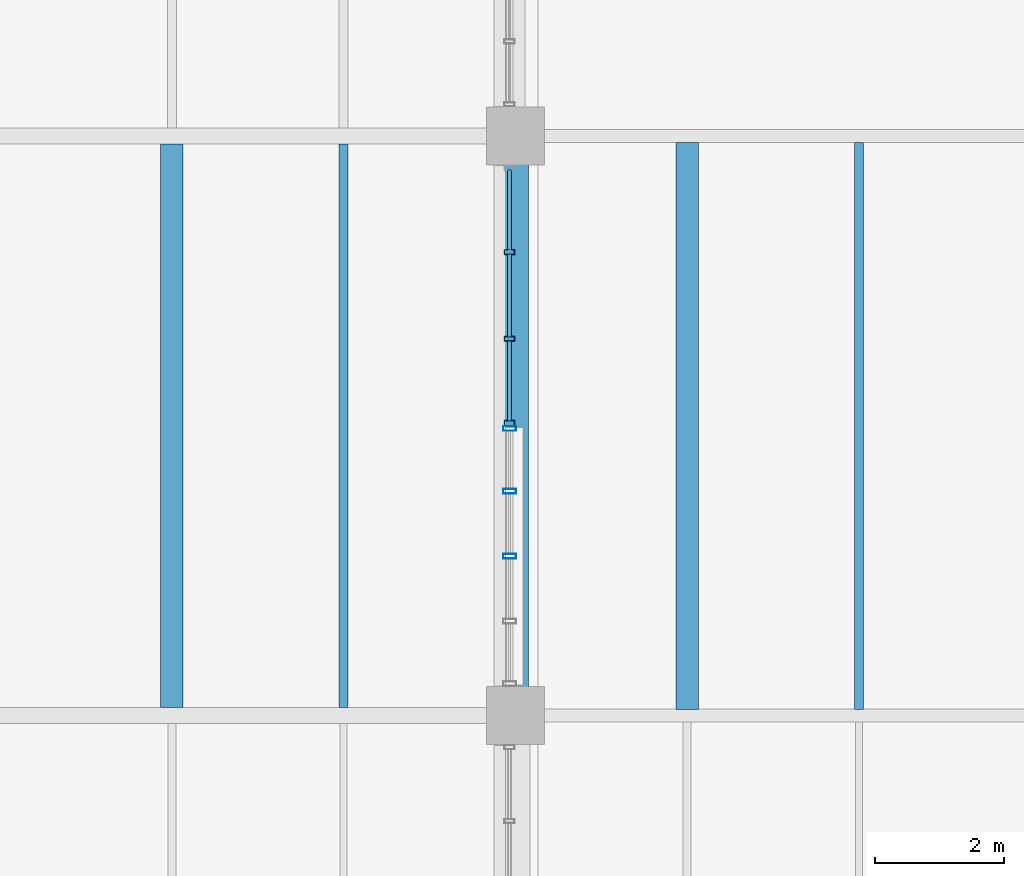
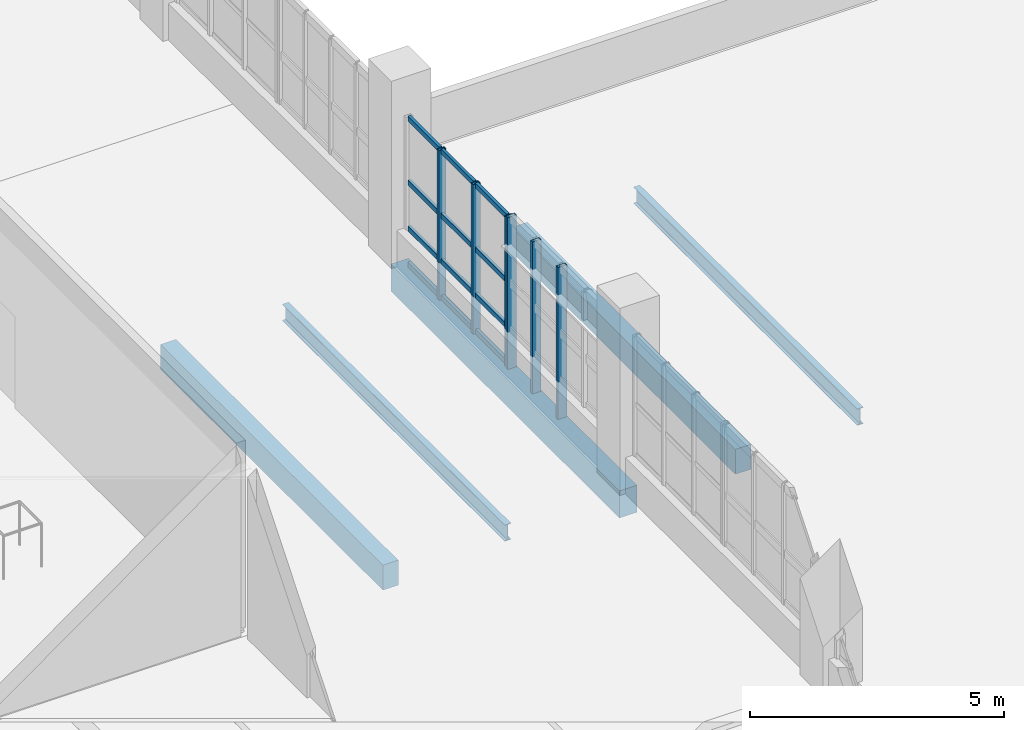
# One storey, part 14 of 85: 18 members, 5 beams, 2 elements without a shape of their own.
"""IFC4 building model written with IfcOpenShell, lengths in metres."""

from ifc_helpers import new_model, si_unit, derived_unit, direction, frame, origin, origin_2d, place, context, subcontext, project, spatial, rectangle, hollow_rectangle, i_section, extrude, material, layer, layer_set, material_profile, profile_set, type_object, element, aggregate, save


model = new_model("IFC4")

# Units and contexts
model_context = context("Model", 3, precision=1e-05, world=origin(), true_north=direction((0.0, 1.0)))
body_context = subcontext(model_context, "Body", "Model", "MODEL_VIEW")
ifc_project = project(units=[si_unit("LENGTHUNIT", "METRE"), si_unit("AREAUNIT", "SQUARE_METRE"), si_unit("VOLUMEUNIT", "CUBIC_METRE"), si_unit("PLANEANGLEUNIT", "RADIAN"), si_unit("MASSUNIT", "GRAM", prefix="KILO"), derived_unit("THERMALTRANSMITTANCEUNIT", [(si_unit("POWERUNIT", "WATT"), 1), (si_unit("LENGTHUNIT", "METRE"), -2), (si_unit("THERMODYNAMICTEMPERATUREUNIT", "KELVIN"), -1)])], contexts=[model_context])

# Site, building, storey
site_placement = place(None, origin())
site = spatial("IfcSite", under=ifc_project, at=site_placement, CompositionType="ELEMENT")
building_placement = place(site_placement, origin())
building = spatial("IfcBuilding", under=site, at=building_placement, Name="Nallur Shell Playhouse", CompositionType="ELEMENT")
storey_placement = place(building_placement, frame((0.0, 0.0, 19.800048828125)))
storey = spatial("IfcBuildingStorey", under=building, at=storey_placement, Name="L05", CompositionType="ELEMENT", Elevation=19.800048828125)

# Beams
ifc_material_1 = material(Name="Steel E250", Category="steel")
ifc_material_profile_1 = material_profile(ifc_material_1, i_section(OverallWidth=0.139892578125, OverallDepth=0.39990234375, WebThickness=0.0087890625, FlangeThickness=0.01611328125, FilletRadius=0.013916015625, at=origin_2d()), Name="ISMB 400")
ifc_profile_set_1 = profile_set([ifc_material_profile_1], Name="Steel E250")
beam_type_1 = type_object("IfcBeamType", Name="BM-JST-ISMB400", PredefinedType="JOIST", material=ifc_profile_set_1)
beam_1_placement = place(storey_placement, frame((37.333251953125, 32.123046875, -0.449951171875), z_axis=(0.0, 1.0, 0.0), x_axis=(-1.0, 0.0, 0.0)))
element("IfcBeam", 1, at=beam_1_placement, inside=storey, type_object=beam_type_1, Name="L05 secondary joist 4-D-1075", PredefinedType="JOIST", context=body_context, shape_type="SweptSolid", body=[
    extrude(i_section(OverallWidth=0.139892578125, OverallDepth=0.39990234375, WebThickness=0.0087890625, FlangeThickness=0.01611328125, FilletRadius=0.013916015625, at=origin_2d()), origin(), (0.0, 0.0, 1.0), 8.75390625),
])
beam_2_placement = place(storey_placement, frame((45.333251953125, 32.097900390625, -0.449951171875), z_axis=(0.0, 1.0, 0.0), x_axis=(-1.0, 0.0, 0.0)))
element("IfcBeam", 2, at=beam_2_placement, inside=storey, type_object=beam_type_1, Name="L05 secondary joist 5-D-1087", PredefinedType="JOIST", context=body_context, shape_type="SweptSolid", body=[
    extrude(i_section(OverallWidth=0.139892578125, OverallDepth=0.39990234375, WebThickness=0.0087890625, FlangeThickness=0.01611328125, FilletRadius=0.013916015625, at=origin_2d()), origin(), (0.0, 0.0, 1.0), 8.80419921875),
])
ifc_material_2 = material(Name="Concrete M30", Category="concrete")
ifc_material_profile_2 = material_profile(ifc_material_2, rectangle(XDim=0.35009765625, YDim=0.60009765625, at=origin_2d()), Name="RC 350x600")
ifc_profile_set_2 = profile_set([ifc_material_profile_2], Name="Concrete M30")
beam_type_2 = type_object("IfcBeamType", Name="BM-RC-350x600", PredefinedType="JOIST", material=ifc_profile_set_2)
beam_3_placement = place(storey_placement, frame((34.666748046875, 32.123046875, -0.550048828125), z_axis=(0.0, 1.0, 0.0), x_axis=(-1.0, 0.0, 0.0)))
element("IfcBeam", 3, at=beam_3_placement, inside=storey, type_object=beam_type_2, Name="L05 secondary joist 4-D-1074", PredefinedType="JOIST", context=body_context, shape_type="SweptSolid", body=[
    extrude(rectangle(XDim=0.35009765625, YDim=0.60009765625, at=origin_2d()), origin(), (0.0, 0.0, 1.0), 8.75390625),
])
beam_4_placement = place(storey_placement, frame((42.666748046875, 32.097900390625, -0.550048828125), z_axis=(0.0, 1.0, 0.0), x_axis=(-1.0, 0.0, 0.0)))
element("IfcBeam", 4, at=beam_4_placement, inside=storey, type_object=beam_type_2, Name="L05 secondary joist 5-D-1086", PredefinedType="JOIST", context=body_context, shape_type="SweptSolid", body=[
    extrude(rectangle(XDim=0.35009765625, YDim=0.60009765625, at=origin_2d()), origin(), (0.0, 0.0, 1.0), 8.80419921875),
])
ifc_material_3 = material(Name="Concrete M35", Category="concrete")
ifc_material_profile_3 = material_profile(ifc_material_3, rectangle(XDim=0.39990234375, YDim=0.64990234375, at=origin_2d()), Name="RC 400x650")
ifc_profile_set_3 = profile_set([ifc_material_profile_3], Name="Concrete M35")
beam_type_3 = type_object("IfcBeamType", Name="BM-RC-400x650", PredefinedType="BEAM", material=ifc_profile_set_3)
beam_5_placement = place(storey_placement, frame((40.0, 32.0, -0.574951171875), z_axis=(0.0, 1.0, 0.0), x_axis=(-1.0, 0.0, 0.0)))
element("IfcBeam", 5, at=beam_5_placement, inside=storey, type_object=beam_type_3, Name="L05 girder Y-5-1007", PredefinedType="BEAM", context=body_context, shape_type="SweptSolid", body=[
    extrude(rectangle(XDim=0.39990234375, YDim=0.64990234375, at=origin_2d()), origin(), (0.0, 0.0, 1.0), 9.0),
])

# Curtain wall, members
ifc_material_4 = material(Name="Anodised Aluminium Double-Glazed Facade System", Category="aluminium")
ifc_layer_1 = layer(ifc_material_4, 0.1640625)
ifc_layer_set_1 = layer_set([ifc_layer_1], Name="Anodised Aluminium Double-Glazed Facade System")
curtain_wall_type_1 = type_object("IfcCurtainWallType", Name="CW-UNIT-19", PredefinedType="NOTDEFINED", material=ifc_layer_set_1)
curtain_wall_1_placement = place(storey_placement, origin())
curtain_wall_1 = element("IfcCurtainWall", 6, at=curtain_wall_1_placement, inside=storey, type_object=curtain_wall_type_1, Name="Unitised curtain wall CW-179 (L05)", PredefinedType="NOTDEFINED")
ifc_material_5 = material(Name="Aluminium Alloy 6063-T6 Mullion", Category="aluminium")
ifc_material_profile_4 = material_profile(ifc_material_5, hollow_rectangle(XDim=0.080078125, YDim=0.159912109375, WallThickness=0.006103515625, at=origin_2d()), Name="RHS 160x80x6")
ifc_profile_set_4 = profile_set([ifc_material_profile_4], Name="Aluminium Alloy 6063-T6 Mullion")
member_type_1 = type_object("IfcMemberType", Name="MB-CW-MUL150", PredefinedType="MULLION", material=ifc_profile_set_4)
member_1_placement = place(storey_placement, frame((39.909912109375, 39.1962890625, -0.01513671875), z_axis=(0.0, 0.0, 1.0), x_axis=(0.0, -1.0, 0.0)))
member_1 = element("IfcMember", 7, at=member_1_placement, type_object=member_type_1, Name="CW-19 mullion 2", PredefinedType="MULLION", context=body_context, shape_type="SweptSolid", body=[
    extrude(hollow_rectangle(XDim=0.080078125, YDim=0.159912109375, WallThickness=0.006103515625, at=origin_2d()), origin(), (0.0, 0.0, 1.0), 3.593994140625),
])
member_2_placement = place(storey_placement, frame((39.909912109375, 37.8505859375, -0.01513671875), z_axis=(0.0, 0.0, 1.0), x_axis=(0.0, -1.0, 0.0)))
member_2 = element("IfcMember", 8, at=member_2_placement, type_object=member_type_1, Name="CW-19 mullion 3", PredefinedType="MULLION", context=body_context, shape_type="SweptSolid", body=[
    extrude(hollow_rectangle(XDim=0.080078125, YDim=0.159912109375, WallThickness=0.006103515625, at=origin_2d()), origin(), (0.0, 0.0, 1.0), 3.593994140625),
])
member_3_placement = place(storey_placement, frame((39.909912109375, 36.544921875, -0.01513671875), z_axis=(0.0, 0.0, 1.0), x_axis=(0.0, -1.0, 0.0)))
member_3 = element("IfcMember", 9, at=member_3_placement, type_object=member_type_1, Name="CW-19 mullion 4", PredefinedType="MULLION", context=body_context, shape_type="SweptSolid", body=[
    extrude(hollow_rectangle(XDim=0.080078125, YDim=0.159912109375, WallThickness=0.006103515625, at=origin_2d()), origin(), (0.0, 0.0, 1.0), 3.593994140625),
])

ifc_layer_2 = layer(ifc_material_4, 0.16796875)
ifc_layer_set_2 = layer_set([ifc_layer_2], Name="Anodised Aluminium Double-Glazed Facade System")
curtain_wall_type_2 = type_object("IfcCurtainWallType", Name="CW-UNIT-20", PredefinedType="NOTDEFINED", material=ifc_layer_set_2)
curtain_wall_2_placement = place(storey_placement, origin())
curtain_wall_2 = element("IfcCurtainWall", 10, at=curtain_wall_2_placement, inside=storey, type_object=curtain_wall_type_2, Name="Unitised curtain wall CW-180 (L05)", PredefinedType="NOTDEFINED")
ifc_material_profile_5 = material_profile(ifc_material_5, hollow_rectangle(XDim=0.074951171875, YDim=0.199951171875, WallThickness=0.0048828125, at=origin_2d()), Name="ALU 75x200x5")
ifc_profile_set_5 = profile_set([ifc_material_profile_5], Name="Aluminium Alloy 6063-T6 Mullion")
member_type_2 = type_object("IfcMemberType", Name="MB-CW-MUL180", PredefinedType="MULLION", material=ifc_profile_set_5)
member_4_placement = place(storey_placement, frame((39.909912109375, 36.45751953125, -0.01513671875), z_axis=(0.0, 0.0, 1.0), x_axis=(0.0, -1.0, 0.0)))
member_4 = element("IfcMember", 11, at=member_4_placement, type_object=member_type_2, Name="CW-20 mullion 1", PredefinedType="MULLION", context=body_context, shape_type="SweptSolid", body=[
    extrude(hollow_rectangle(XDim=0.074951171875, YDim=0.199951171875, WallThickness=0.0048828125, at=origin_2d()), origin(), (0.0, 0.0, 1.0), 3.654052734375),
])
member_5_placement = place(storey_placement, frame((39.909912109375, 35.48583984375, -0.01513671875), z_axis=(0.0, 0.0, 1.0), x_axis=(0.0, -1.0, 0.0)))
member_5 = element("IfcMember", 12, at=member_5_placement, type_object=member_type_2, Name="CW-20 mullion 2", PredefinedType="MULLION", context=body_context, shape_type="SweptSolid", body=[
    extrude(hollow_rectangle(XDim=0.074951171875, YDim=0.199951171875, WallThickness=0.0048828125, at=origin_2d()), origin(), (0.0, 0.0, 1.0), 3.654052734375),
])
member_6_placement = place(storey_placement, frame((39.909912109375, 34.4765625, -0.01513671875), z_axis=(0.0, 0.0, 1.0), x_axis=(0.0, -1.0, 0.0)))
member_6 = element("IfcMember", 13, at=member_6_placement, type_object=member_type_2, Name="CW-20 mullion 3", PredefinedType="MULLION", context=body_context, shape_type="SweptSolid", body=[
    extrude(hollow_rectangle(XDim=0.074951171875, YDim=0.199951171875, WallThickness=0.0048828125, at=origin_2d()), origin(), (0.0, 0.0, 1.0), 3.654052734375),
])
aggregate(curtain_wall_2, [member_4, member_5, member_6])

# Member
ifc_material_6 = material(Name="Aluminium Alloy 6063-T6 Transom", Category="aluminium")
ifc_material_profile_6 = material_profile(ifc_material_6, hollow_rectangle(XDim=0.06494140625, YDim=0.1201171875, WallThickness=0.00390625, at=origin_2d()), Name="ALU 65x120x4")
ifc_profile_set_6 = profile_set([ifc_material_profile_6], Name="Aluminium Alloy 6063-T6 Transom")
member_type_3 = type_object("IfcMemberType", Name="MB-CW-TRN120", PredefinedType="USERDEFINED", material=ifc_profile_set_6)
member_7_placement = place(storey_placement, frame((39.909912109375, 40.469970703125, 0.032470703125), z_axis=(0.0, -1.0, 0.0), x_axis=(1.0, 0.0, 0.0)))
member_7 = element("IfcMember", 14, at=member_7_placement, type_object=member_type_3, Name="CW-19 transom 1.1", ObjectType="TRANSOM", PredefinedType="USERDEFINED", context=body_context, shape_type="SweptSolid", body=[
    extrude(hollow_rectangle(XDim=0.06494140625, YDim=0.1201171875, WallThickness=0.00390625, at=origin_2d()), origin(), (0.0, 0.0, 1.0), 1.24169921875),
])

member_8_placement = place(storey_placement, frame((39.909912109375, 40.469970703125, 0.89990234375), z_axis=(0.0, -1.0, 0.0), x_axis=(1.0, 0.0, 0.0)))
member_8 = element("IfcMember", 15, at=member_8_placement, type_object=member_type_3, Name="CW-19 transom 1.2", ObjectType="TRANSOM", PredefinedType="USERDEFINED", context=body_context, shape_type="SweptSolid", body=[
    extrude(hollow_rectangle(XDim=0.06494140625, YDim=0.1201171875, WallThickness=0.00390625, at=origin_2d()), origin(), (0.0, 0.0, 1.0), 1.24169921875),
])

member_9_placement = place(storey_placement, frame((39.909912109375, 40.469970703125, 2.001953125), z_axis=(0.0, -1.0, 0.0), x_axis=(1.0, 0.0, 0.0)))
member_9 = element("IfcMember", 16, at=member_9_placement, type_object=member_type_3, Name="CW-19 transom 1.3", ObjectType="TRANSOM", PredefinedType="USERDEFINED", context=body_context, shape_type="SweptSolid", body=[
    extrude(hollow_rectangle(XDim=0.06494140625, YDim=0.1201171875, WallThickness=0.00390625, at=origin_2d()), origin(), (0.0, 0.0, 1.0), 1.24169921875),
])

member_10_placement = place(storey_placement, frame((39.909912109375, 40.469970703125, 3.54248046875), z_axis=(0.0, -1.0, 0.0), x_axis=(1.0, 0.0, 0.0)))
member_10 = element("IfcMember", 17, at=member_10_placement, type_object=member_type_3, Name="CW-19 transom 1.4", ObjectType="TRANSOM", PredefinedType="USERDEFINED", context=body_context, shape_type="SweptSolid", body=[
    extrude(hollow_rectangle(XDim=0.06494140625, YDim=0.1201171875, WallThickness=0.00390625, at=origin_2d()), origin(), (0.0, 0.0, 1.0), 1.24169921875),
])

member_11_placement = place(storey_placement, frame((39.909912109375, 39.164306640625, 0.032470703125), z_axis=(0.0, -1.0, 0.0), x_axis=(1.0, 0.0, 0.0)))
member_11 = element("IfcMember", 18, at=member_11_placement, type_object=member_type_3, Name="CW-19 transom 2.1", ObjectType="TRANSOM", PredefinedType="USERDEFINED", context=body_context, shape_type="SweptSolid", body=[
    extrude(hollow_rectangle(XDim=0.06494140625, YDim=0.1201171875, WallThickness=0.00390625, at=origin_2d()), origin(), (0.0, 0.0, 1.0), 1.28173828125),
])

member_12_placement = place(storey_placement, frame((39.909912109375, 39.164306640625, 0.89990234375), z_axis=(0.0, -1.0, 0.0), x_axis=(1.0, 0.0, 0.0)))
member_12 = element("IfcMember", 19, at=member_12_placement, type_object=member_type_3, Name="CW-19 transom 2.2", ObjectType="TRANSOM", PredefinedType="USERDEFINED", context=body_context, shape_type="SweptSolid", body=[
    extrude(hollow_rectangle(XDim=0.06494140625, YDim=0.1201171875, WallThickness=0.00390625, at=origin_2d()), origin(), (0.0, 0.0, 1.0), 1.28173828125),
])

member_13_placement = place(storey_placement, frame((39.909912109375, 39.164306640625, 2.001953125), z_axis=(0.0, -1.0, 0.0), x_axis=(1.0, 0.0, 0.0)))
member_13 = element("IfcMember", 20, at=member_13_placement, type_object=member_type_3, Name="CW-19 transom 2.3", ObjectType="TRANSOM", PredefinedType="USERDEFINED", context=body_context, shape_type="SweptSolid", body=[
    extrude(hollow_rectangle(XDim=0.06494140625, YDim=0.1201171875, WallThickness=0.00390625, at=origin_2d()), origin(), (0.0, 0.0, 1.0), 1.28173828125),
])

member_14_placement = place(storey_placement, frame((39.909912109375, 39.164306640625, 3.54248046875), z_axis=(0.0, -1.0, 0.0), x_axis=(1.0, 0.0, 0.0)))
member_14 = element("IfcMember", 21, at=member_14_placement, type_object=member_type_3, Name="CW-19 transom 2.4", ObjectType="TRANSOM", PredefinedType="USERDEFINED", context=body_context, shape_type="SweptSolid", body=[
    extrude(hollow_rectangle(XDim=0.06494140625, YDim=0.1201171875, WallThickness=0.00390625, at=origin_2d()), origin(), (0.0, 0.0, 1.0), 1.28173828125),
])

member_15_placement = place(storey_placement, frame((39.909912109375, 37.818603515625, 0.032470703125), z_axis=(0.0, -1.0, 0.0), x_axis=(1.0, 0.0, 0.0)))
member_15 = element("IfcMember", 22, at=member_15_placement, type_object=member_type_3, Name="CW-19 transom 3.1", ObjectType="TRANSOM", PredefinedType="USERDEFINED", context=body_context, shape_type="SweptSolid", body=[
    extrude(hollow_rectangle(XDim=0.06494140625, YDim=0.1201171875, WallThickness=0.00390625, at=origin_2d()), origin(), (0.0, 0.0, 1.0), 1.24169921875),
])

member_16_placement = place(storey_placement, frame((39.909912109375, 37.818603515625, 0.89990234375), z_axis=(0.0, -1.0, 0.0), x_axis=(1.0, 0.0, 0.0)))
member_16 = element("IfcMember", 23, at=member_16_placement, type_object=member_type_3, Name="CW-19 transom 3.2", ObjectType="TRANSOM", PredefinedType="USERDEFINED", context=body_context, shape_type="SweptSolid", body=[
    extrude(hollow_rectangle(XDim=0.06494140625, YDim=0.1201171875, WallThickness=0.00390625, at=origin_2d()), origin(), (0.0, 0.0, 1.0), 1.24169921875),
])

member_17_placement = place(storey_placement, frame((39.909912109375, 37.818603515625, 2.001953125), z_axis=(0.0, -1.0, 0.0), x_axis=(1.0, 0.0, 0.0)))
member_17 = element("IfcMember", 24, at=member_17_placement, type_object=member_type_3, Name="CW-19 transom 3.3", ObjectType="TRANSOM", PredefinedType="USERDEFINED", context=body_context, shape_type="SweptSolid", body=[
    extrude(hollow_rectangle(XDim=0.06494140625, YDim=0.1201171875, WallThickness=0.00390625, at=origin_2d()), origin(), (0.0, 0.0, 1.0), 1.24169921875),
])

member_18_placement = place(storey_placement, frame((39.909912109375, 37.818603515625, 3.54248046875), z_axis=(0.0, -1.0, 0.0), x_axis=(1.0, 0.0, 0.0)))
member_18 = element("IfcMember", 25, at=member_18_placement, type_object=member_type_3, Name="CW-19 transom 3.4", ObjectType="TRANSOM", PredefinedType="USERDEFINED", context=body_context, shape_type="SweptSolid", body=[
    extrude(hollow_rectangle(XDim=0.06494140625, YDim=0.1201171875, WallThickness=0.00390625, at=origin_2d()), origin(), (0.0, 0.0, 1.0), 1.24169921875),
])

aggregate(curtain_wall_1, [member_1, member_2, member_3, member_7, member_8, member_9, member_10, member_11, member_12, member_13, member_14, member_15, member_16, member_17, member_18])

save(model, "model.ifc")
